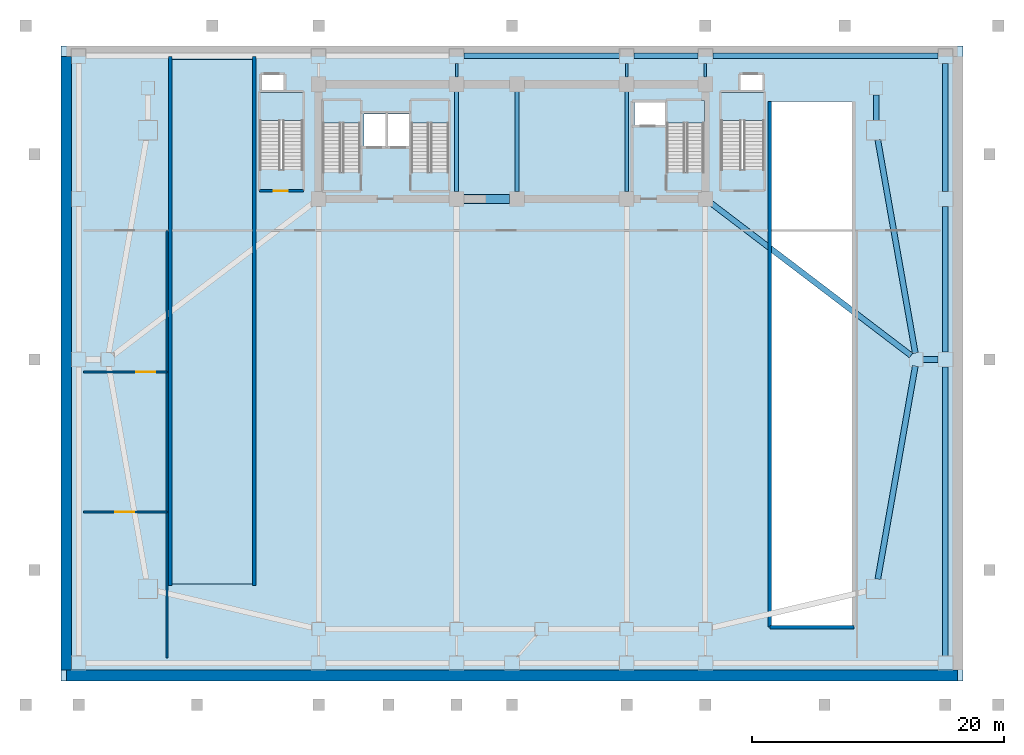
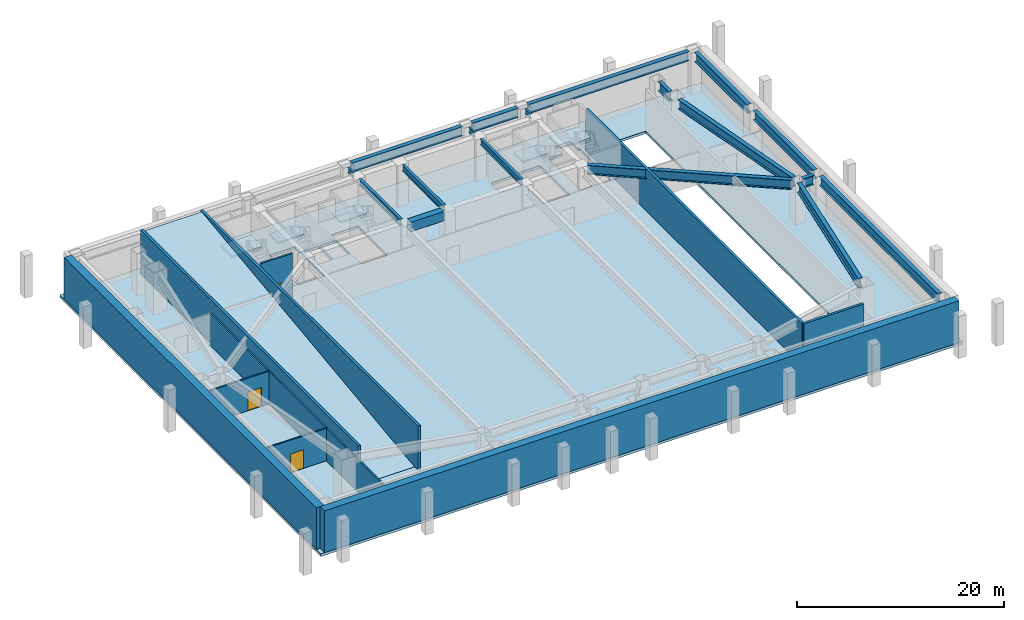
# One storey, part 2 of 6: 18 beams, 10 walls, 7 slabs, 3 doors, 3 openings, 5 elements without a shape of their own.
"""IFC4 building model written with IfcOpenShell, lengths in metres."""

from ifc_helpers import new_model, si_unit, direction, frame, frame_2d, origin, origin_2d, place, context, subcontext, project, spatial, polyline, rectangle, i_section, outline, extrude, source, transform, mapped, material, layer, layer_set, material_profile, profile_set, type_object, element, fill, aggregate, save


model = new_model("IFC4")

# Units and contexts
model_context = context("Model", 3, precision=1e-05, world=origin(), true_north=direction((0.0, 1.0)))
body_context = subcontext(model_context, "Body", "Model", "MODEL_VIEW")
ifc_project = project(units=[si_unit("LENGTHUNIT", "METRE"), si_unit("AREAUNIT", "SQUARE_METRE"), si_unit("VOLUMEUNIT", "CUBIC_METRE"), si_unit("PLANEANGLEUNIT", "RADIAN"), si_unit("MASSUNIT", "GRAM", prefix="KILO")], contexts=[model_context])

# Site, building, storey
site_placement = place(None, origin())
site = spatial("IfcSite", under=ifc_project, at=site_placement, CompositionType="ELEMENT")
building_placement = place(site_placement, origin())
building = spatial("IfcBuilding", under=site, at=building_placement, Name="Giltprow Tower", CompositionType="ELEMENT")
storey_placement = place(building_placement, frame((0.0, 0.0, -5.199951171875)))
storey = spatial("IfcBuildingStorey", under=building, at=storey_placement, Name="B01", CompositionType="ELEMENT", Elevation=-5.199951171875)

# Beams
ifc_material_1 = material(Name="Concrete C60", Category="concrete")
ifc_material_profile_1 = material_profile(ifc_material_1, rectangle(XDim=0.699951171875, YDim=1.10009765625, at=origin_2d()), Name="RC 1100x700")
ifc_profile_set_1 = profile_set([ifc_material_profile_1], Name="Concrete C60")
beam_type_1 = type_object("IfcBeamType", Name="BM-CPL-RC1100", PredefinedType="LINTEL", material=ifc_profile_set_1)
shared_shape_1 = source(origin(), body_context, "Body", "SweptSolid", [
    extrude(rectangle(XDim=0.699951171875, YDim=1.10009765625, at=origin_2d()), origin(), (0.0, 0.0, 1.0), 3.6298828125),
])
beam_1_placement = place(storey_placement, frame((31.385009765625, 37.449951171875, 4.389892578125), z_axis=(1.0, 0.0, 0.0), x_axis=(0.0, 1.0, 0.0)))
element("IfcBeam", 1, at=beam_1_placement, inside=storey, type_object=beam_type_1, Name="B01 Core Coupling Beam CB-1", PredefinedType="LINTEL", context=body_context, shape_type="MappedRepresentation", body=[
    mapped(shared_shape_1, transform((0.0, 0.0, 0.0), x_axis=(1.0, 0.0, 0.0), y_axis=(0.0, 1.0, 0.0), z_axis=(0.0, 0.0, 1.0), scale=1.0)),
])
ifc_material_2 = material(Name="Structural steel Q355B", Category="steel")
ifc_material_profile_2 = material_profile(ifc_material_2, i_section(OverallWidth=0.300048828125, OverallDepth=0.699951171875, WebThickness=0.012939453125, FlangeThickness=0.02392578125, at=origin_2d()), Name="HN 700x300x13x24")
ifc_profile_set_2 = profile_set([ifc_material_profile_2], Name="Structural steel Q355B")
beam_type_2 = type_object("IfcBeamType", Name="BM-GIRD-HN700", PredefinedType="BEAM", material=ifc_profile_set_2)
shared_shape_2 = source(origin(), body_context, "Body", "SweptSolid", [
    extrude(i_section(OverallWidth=0.300048828125, OverallDepth=0.699951171875, WebThickness=0.012939453125, FlangeThickness=0.02392578125, at=origin_2d()), origin(), (0.0, 0.0, 1.0), 7.93017578125),
])
for number, where, z_axis, x_axis, name in (
    (2, (30.800048828125, 38.034912109375, 4.58984375), (0.0, 1.0, 0.0), (-1.0, 0.0, 0.0), "B01 Core Tie Girder M1"),
    (3, (35.60009765625, 38.034912109375, 4.58984375), (0.0, 1.0, 0.0), (-1.0, 0.0, 0.0), "B01 Core Tie Girder M2"),
    (4, (44.300048828125, 38.034912109375, 4.58984375), (0.0, 1.0, 0.0), (-1.0, 0.0, 0.0), "B01 Core Tie Girder M3"),
):
    element("IfcBeam", number, at=place(storey_placement, frame(where, z_axis=z_axis, x_axis=x_axis)), inside=storey, type_object=beam_type_2, Name=name, PredefinedType="BEAM", context=body_context, shape_type="MappedRepresentation", body=[
        mapped(shared_shape_2, transform((0.0, 0.0, 0.0), x_axis=(1.0, 0.0, 0.0), y_axis=(0.0, 1.0, 0.0), z_axis=(0.0, 0.0, 1.0), scale=1.0)),
    ])
ifc_material_3 = material(Name="Structural steel Q420GJC", Category="steel")
ifc_material_profile_3 = material_profile(ifc_material_3, i_section(OverallWidth=0.449951171875, OverallDepth=1.10009765625, WebThickness=0.02587890625, FlangeThickness=0.0419921875, at=origin_2d()), Name="WH 1100x450x26x42")
ifc_profile_set_3 = profile_set([ifc_material_profile_3], Name="Structural steel Q420GJC")
beam_type_3 = type_object("IfcBeamType", Name="BM-GIRD-WH1100", PredefinedType="BEAM", material=ifc_profile_set_3)
shared_shape_3 = source(origin(), body_context, "Body", "SweptSolid", [
    extrude(i_section(OverallWidth=0.449951171875, OverallDepth=1.10009765625, WebThickness=0.02587890625, FlangeThickness=0.0419921875, at=origin_2d()), origin(), (0.0, 0.0, 1.0), 17.8798828125),
])
beam_2_placement = place(storey_placement, frame((51.135009765625, 48.800048828125, 4.389892578125), z_axis=(1.0, 0.0, 0.0), x_axis=(0.0, 1.0, 0.0)))
element("IfcBeam", 5, at=beam_2_placement, inside=storey, type_object=beam_type_3, Name="B01 Podium North Edge Girder", PredefinedType="BEAM", context=body_context, shape_type="MappedRepresentation", body=[
    mapped(shared_shape_3, transform((0.0, 0.0, 0.0), x_axis=(1.0, 0.0, 0.0), y_axis=(0.0, 1.0, 0.0), z_axis=(0.0, 0.0, 1.0), scale=1.0)),
])
shared_shape_4 = source(origin(), body_context, "Body", "SweptSolid", [
    extrude(i_section(OverallWidth=0.449951171875, OverallDepth=1.10009765625, WebThickness=0.02587890625, FlangeThickness=0.0419921875, at=origin_2d()), origin(), (0.0, 0.0, 1.0), 5.080078125),
])
beam_3_placement = place(storey_placement, frame((44.885009765625, 48.800048828125, 4.389892578125), z_axis=(1.0, 0.0, 0.0), x_axis=(0.0, 1.0, 0.0)))
element("IfcBeam", 6, at=beam_3_placement, inside=storey, type_object=beam_type_3, Name="B01 Podium North Edge Girder", PredefinedType="BEAM", context=body_context, shape_type="MappedRepresentation", body=[
    mapped(shared_shape_4, transform((0.0, 0.0, 0.0), x_axis=(1.0, 0.0, 0.0), y_axis=(0.0, 1.0, 0.0), z_axis=(0.0, 0.0, 1.0), scale=1.0)),
])
shared_shape_5 = source(origin(), body_context, "Body", "SweptSolid", [
    extrude(i_section(OverallWidth=0.449951171875, OverallDepth=1.10009765625, WebThickness=0.02587890625, FlangeThickness=0.0419921875, at=origin_2d()), origin(), (0.0, 0.0, 1.0), 12.330078125),
])
beam_4_placement = place(storey_placement, frame((31.385009765625, 48.800048828125, 4.389892578125), z_axis=(1.0, 0.0, 0.0), x_axis=(0.0, 1.0, 0.0)))
element("IfcBeam", 7, at=beam_4_placement, inside=storey, type_object=beam_type_3, Name="B01 Podium North Edge Girder", PredefinedType="BEAM", context=body_context, shape_type="MappedRepresentation", body=[
    mapped(shared_shape_5, transform((0.0, 0.0, 0.0), x_axis=(1.0, 0.0, 0.0), y_axis=(0.0, 1.0, 0.0), z_axis=(0.0, 0.0, 1.0), scale=1.0)),
])
shared_shape_6 = source(origin(), body_context, "Body", "SweptSolid", [
    extrude(i_section(OverallWidth=0.449951171875, OverallDepth=1.10009765625, WebThickness=0.02587890625, FlangeThickness=0.0419921875, at=origin_2d()), origin(), (0.0, 0.0, 1.0), 22.929931640625),
])
beam_5_placement = place(storey_placement, frame((69.60009765625, 1.18505859375, 4.389892578125), z_axis=(0.0, 1.0, 0.0), x_axis=(-1.0, 0.0, 0.0)))
element("IfcBeam", 8, at=beam_5_placement, inside=storey, type_object=beam_type_3, Name="B01 Podium Side Girder", PredefinedType="BEAM", context=body_context, shape_type="MappedRepresentation", body=[
    mapped(shared_shape_6, transform((0.0, 0.0, 0.0), x_axis=(1.0, 0.0, 0.0), y_axis=(0.0, 1.0, 0.0), z_axis=(0.0, 0.0, 1.0), scale=1.0)),
])
shared_shape_7 = source(origin(), body_context, "Body", "SweptSolid", [
    extrude(i_section(OverallWidth=0.449951171875, OverallDepth=1.10009765625, WebThickness=0.02587890625, FlangeThickness=0.0419921875, at=origin_2d()), origin(), (0.0, 0.0, 1.0), 11.580078125),
])
beam_6_placement = place(storey_placement, frame((69.60009765625, 25.284912109375, 4.389892578125), z_axis=(0.0, 1.0, 0.0), x_axis=(-1.0, 0.0, 0.0)))
element("IfcBeam", 9, at=beam_6_placement, inside=storey, type_object=beam_type_3, Name="B01 Podium Side Girder", PredefinedType="BEAM", context=body_context, shape_type="MappedRepresentation", body=[
    mapped(shared_shape_7, transform((0.0, 0.0, 0.0), x_axis=(1.0, 0.0, 0.0), y_axis=(0.0, 1.0, 0.0), z_axis=(0.0, 0.0, 1.0), scale=1.0)),
])
shared_shape_8 = source(origin(), body_context, "Body", "SweptSolid", [
    extrude(i_section(OverallWidth=0.449951171875, OverallDepth=1.10009765625, WebThickness=0.02587890625, FlangeThickness=0.0419921875, at=origin_2d()), origin(), (0.0, 0.0, 1.0), 10.18017578125),
])
beam_7_placement = place(storey_placement, frame((69.60009765625, 38.034912109375, 4.389892578125), z_axis=(0.0, 1.0, 0.0), x_axis=(-1.0, 0.0, 0.0)))
element("IfcBeam", 10, at=beam_7_placement, inside=storey, type_object=beam_type_3, Name="B01 Podium Side Girder", PredefinedType="BEAM", context=body_context, shape_type="MappedRepresentation", body=[
    mapped(shared_shape_8, transform((0.0, 0.0, 0.0), x_axis=(1.0, 0.0, 0.0), y_axis=(0.0, 1.0, 0.0), z_axis=(0.0, 0.0, 1.0), scale=1.0)),
])
shared_shape_9 = source(origin(), body_context, "Body", "SweptSolid", [
    extrude(i_section(OverallWidth=0.449951171875, OverallDepth=1.10009765625, WebThickness=0.02587890625, FlangeThickness=0.0419921875, at=origin_2d()), origin(), (0.0, 0.0, 1.0), 17.1591796875),
])
beam_8_placement = place(storey_placement, frame((64.236083984375, 7.27294921875, 4.389892578125), z_axis=(0.173139216532, 0.984897360997, 0.0), x_axis=(-0.984897360997, 0.173139216532, 0.0)))
element("IfcBeam", 11, at=beam_8_placement, inside=storey, type_object=beam_type_3, Name="B01 Tower Base Ring Girder 7", PredefinedType="BEAM", context=body_context, shape_type="MappedRepresentation", body=[
    mapped(shared_shape_9, transform((0.0, 0.0, 0.0), x_axis=(1.0, 0.0, 0.0), y_axis=(0.0, 1.0, 0.0), z_axis=(0.0, 0.0, 1.0), scale=1.0)),
])
shared_shape_10 = source(origin(), body_context, "Body", "SweptSolid", [
    extrude(i_section(OverallWidth=0.449951171875, OverallDepth=1.10009765625, WebThickness=0.02587890625, FlangeThickness=0.0419921875, at=origin_2d()), origin(), (0.0, 0.0, 1.0), 17.158935546875),
])
beam_9_placement = place(storey_placement, frame((67.20703125, 25.22705078125, 4.389892578125), z_axis=(-0.173141642767, 0.984896934476, 0.0), x_axis=(-0.984896934476, -0.173141642767, 0.0)))
element("IfcBeam", 12, at=beam_9_placement, inside=storey, type_object=beam_type_3, Name="B01 Tower Base Ring Girder 8", PredefinedType="BEAM", context=body_context, shape_type="MappedRepresentation", body=[
    mapped(shared_shape_10, transform((0.0, 0.0, 0.0), x_axis=(1.0, 0.0, 0.0), y_axis=(0.0, 1.0, 0.0), z_axis=(0.0, 0.0, 1.0), scale=1.0)),
])
shared_shape_11 = source(origin(), body_context, "Body", "SweptSolid", [
    extrude(i_section(OverallWidth=0.449951171875, OverallDepth=1.10009765625, WebThickness=0.02587890625, FlangeThickness=0.0419921875, at=origin_2d()), origin(), (0.0, 0.0, 1.0), 2.030029296875),
])
beam_10_placement = place(storey_placement, frame((64.10009765625, 43.68505859375, 4.389892578125), z_axis=(0.0, 1.0, 0.0), x_axis=(-1.0, 0.0, 0.0)))
element("IfcBeam", 13, at=beam_10_placement, inside=storey, type_object=beam_type_3, Name="B01 Tower Base Ring Girder 9", PredefinedType="BEAM", context=body_context, shape_type="MappedRepresentation", body=[
    mapped(shared_shape_11, transform((0.0, 0.0, 0.0), x_axis=(1.0, 0.0, 0.0), y_axis=(0.0, 1.0, 0.0), z_axis=(0.0, 0.0, 1.0), scale=1.0)),
])
ifc_material_profile_4 = material_profile(ifc_material_2, i_section(OverallWidth=0.199951171875, OverallDepth=0.60009765625, WebThickness=0.010986328125, FlangeThickness=0.01708984375, at=origin_2d()), Name="HN 600x200x11x17")
ifc_profile_set_4 = profile_set([ifc_material_profile_4], Name="Structural steel Q355B")
beam_type_4 = type_object("IfcBeamType", Name="BM-GIRD-HN600", PredefinedType="BEAM", material=ifc_profile_set_4)
shared_shape_12 = source(origin(), body_context, "Body", "SweptSolid", [
    extrude(i_section(OverallWidth=0.199951171875, OverallDepth=0.60009765625, WebThickness=0.010986328125, FlangeThickness=0.01708984375, at=origin_2d()), origin(), (0.0, 0.0, 1.0), 1.080078125),
])
for number, where, z_axis, x_axis, name in (
    (14, (30.800048828125, 47.135009765625, 4.639892578125), (0.0, 1.0, 0.0), (-1.0, 0.0, 0.0), "B01 North Perimeter Tie S2"),
    (15, (44.300048828125, 47.135009765625, 4.639892578125), (0.0, 1.0, 0.0), (-1.0, 0.0, 0.0), "B01 North Perimeter Tie S3"),
    (16, (50.550048828125, 47.135009765625, 4.639892578125), (0.0, 1.0, 0.0), (-1.0, 0.0, 0.0), "B01 North Perimeter Tie S4"),
):
    element("IfcBeam", number, at=place(storey_placement, frame(where, z_axis=z_axis, x_axis=x_axis)), inside=storey, type_object=beam_type_4, Name=name, PredefinedType="BEAM", context=body_context, shape_type="MappedRepresentation", body=[
        mapped(shared_shape_12, transform((0.0, 0.0, 0.0), x_axis=(1.0, 0.0, 0.0), y_axis=(0.0, 1.0, 0.0), z_axis=(0.0, 0.0, 1.0), scale=1.0)),
    ])
shared_shape_13 = source(origin(), body_context, "Body", "SweptSolid", [
    extrude(i_section(OverallWidth=0.449951171875, OverallDepth=1.10009765625, WebThickness=0.02587890625, FlangeThickness=0.0419921875, at=origin_2d()), origin(), (0.0, 0.0, 1.0), 1.179931640625),
])
beam_11_placement = place(storey_placement, frame((67.8349609375, 24.699951171875, 4.389892578125), z_axis=(1.0, 0.0, 0.0), x_axis=(0.0, 1.0, 0.0)))
element("IfcBeam", 17, at=beam_11_placement, inside=storey, type_object=beam_type_3, Name="B01 East Tie 1", PredefinedType="BEAM", context=body_context, shape_type="MappedRepresentation", body=[
    mapped(shared_shape_13, transform((0.0, 0.0, 0.0), x_axis=(1.0, 0.0, 0.0), y_axis=(0.0, 1.0, 0.0), z_axis=(0.0, 0.0, 1.0), scale=1.0)),
])
shared_shape_14 = source(origin(), body_context, "Body", "SweptSolid", [
    extrude(i_section(OverallWidth=0.449951171875, OverallDepth=1.10009765625, WebThickness=0.02587890625, FlangeThickness=0.0419921875, at=origin_2d()), origin(), (0.0, 0.0, 1.0), 19.930908203125),
])
beam_12_placement = place(storey_placement, frame((51.014892578125, 37.095947265625, 4.389892578125), z_axis=(0.795700739064, -0.605689965124, 0.0), x_axis=(0.605689965124, 0.795700739064, 0.0)))
element("IfcBeam", 18, at=beam_12_placement, inside=storey, type_object=beam_type_3, Name="B01 East Tie 2", PredefinedType="BEAM", context=body_context, shape_type="MappedRepresentation", body=[
    mapped(shared_shape_14, transform((0.0, 0.0, 0.0), x_axis=(1.0, 0.0, 0.0), y_axis=(0.0, 1.0, 0.0), z_axis=(0.0, 0.0, 1.0), scale=1.0)),
])

# Slabs
ifc_material_4 = material(Name="Concrete C40", Category="concrete")
ifc_layer_1 = layer(ifc_material_4, 0.300048828125, Name="Concrete C40")
ifc_layer_set_1 = layer_set([ifc_layer_1], Name="Concrete C40")
slab_type_1 = type_object("IfcSlabType", Name="SLB-B01-300", PredefinedType="FLOOR", material=ifc_layer_set_1)
slab_1_placement = place(storey_placement, frame((0.0, 0.0, -0.300048828125)))
element("IfcSlab", 19, at=slab_1_placement, inside=storey, type_object=slab_type_1, Name="B01 Structural Composite Floor Slab", PredefinedType="FLOOR", context=body_context, shape_type="SweptSolid", body=[
    extrude(outline(polyline([(-0.60009765625, 49.60009765625), (71.0, 49.60009765625), (71.0, -0.800048828125), (-0.60009765625, -0.800048828125), (-0.60009765625, 49.60009765625)]), holes=[polyline([(23.159912109375, 45.25), (20.199951171875, 45.25), (20.199951171875, 39.570068359375), (23.159912109375, 39.570068359375), (23.159912109375, 45.25)]), polyline([(30.159912109375, 45.25), (27.199951171875, 45.25), (27.199951171875, 39.570068359375), (30.159912109375, 39.570068359375), (30.159912109375, 45.25)]), polyline([(18.60009765625, 45.89990234375), (17.070068359375, 45.89990234375), (17.070068359375, 47.300048828125), (15.35009765625, 47.300048828125), (15.35009765625, 45.89990234375), (15.199951171875, 45.89990234375), (15.199951171875, 39.77001953125), (18.60009765625, 39.77001953125), (18.60009765625, 45.89990234375)]), polyline([(25.169921875, 41.60009765625), (25.169921875, 44.199951171875), (23.449951171875, 44.199951171875), (23.449951171875, 41.60009765625), (25.169921875, 41.60009765625)]), polyline([(27.10009765625, 41.60009765625), (27.10009765625, 44.199951171875), (25.35009765625, 44.199951171875), (25.35009765625, 41.60009765625), (27.10009765625, 41.60009765625)]), polyline([(62.199951171875, 3.60009765625), (62.199951171875, 45.169921875), (55.800048828125, 45.169921875), (55.800048828125, 3.60009765625), (62.199951171875, 3.60009765625)]), polyline([(50.4599609375, 39.570068359375), (50.4599609375, 45.25), (47.5, 45.25), (47.5, 39.570068359375), (50.4599609375, 39.570068359375)]), polyline([(55.199951171875, 39.77001953125), (55.199951171875, 45.89990234375), (55.070068359375, 45.89990234375), (55.070068359375, 47.300048828125), (53.35009765625, 47.300048828125), (53.35009765625, 45.89990234375), (51.800048828125, 45.89990234375), (51.800048828125, 39.77001953125), (55.199951171875, 39.77001953125)]), polyline([(47.3798828125, 43.300048828125), (47.3798828125, 45.10009765625), (44.919921875, 45.10009765625), (44.919921875, 43.300048828125), (47.3798828125, 43.300048828125)])]), origin(), (0.0, 0.0, 1.0), 0.300048828125),
])
ifc_material_5 = material(Name="Concrete C45", Category="concrete")
ifc_layer_2 = layer(ifc_material_5, 0.239990234375, Name="Concrete C45")
ifc_layer_set_2 = layer_set([ifc_layer_2], Name="Concrete C45")
slab_type_2 = type_object("IfcSlabType", Name="SLB-VRMP-240-C45", PredefinedType="FLOOR", material=ifc_layer_set_2)
slab_2_placement = place(storey_placement, frame((8.199951171875, 6.89990234375, -0.06005859375), z_axis=(0.0, -0.124033301129, 0.992278055895), x_axis=(1.0, 0.0, 0.0)))
element("IfcSlab", 20, at=slab_2_placement, inside=storey, type_object=slab_type_2, Name="Car Park Structural Vehicle Exit Ramp Slab B01-L01", PredefinedType="FLOOR", context=body_context, shape_type="SweptSolid", body=[
    extrude(outline(polyline([(0.0, 0.0), (6.400146484375, 0.0), (6.400146484375, 41.923831136949076), (0.0, 41.923831136949076), (0.0, 0.0)])), origin(), (0.0, 0.0, -1.0), 0.239990234375),
])

# Stair, slab
stair_type_1 = type_object("IfcStairType", Name="STR-ST-1", PredefinedType="HALF_TURN_STAIR", material=ifc_material_4)
stair_1_placement = place(storey_placement, origin())
stair_1 = element("IfcStair", 21, at=stair_1_placement, inside=storey, type_object=stair_type_1, Name="B01 Core Exit Stair ST-1", PredefinedType="HALF_TURN_STAIR")
ifc_layer_3 = layer(ifc_material_4, 0.179931640625, Name="Concrete C40")
ifc_layer_set_3 = layer_set([ifc_layer_3], Name="Concrete C40")
slab_type_3 = type_object("IfcSlabType", Name="SLD-ST-1", PredefinedType="LANDING", material=ifc_layer_set_3)
slab_3_placement = place(storey_placement, frame((0.0, 0.0, 2.419921875)))
slab_3 = element("IfcSlab", 22, at=slab_3_placement, type_object=slab_type_3, Name="ST-1 landing 1", PredefinedType="LANDING", context=body_context, shape_type="SweptSolid", body=[
    extrude(outline(polyline([(23.159912109375, 43.469970703125), (23.159912109375, 45.25), (20.199951171875, 45.25), (20.199951171875, 43.469970703125), (23.159912109375, 43.469970703125)])), origin(), (0.0, 0.0, 1.0), 0.179931640625),
])
aggregate(stair_1, [slab_3])

stair_type_2 = type_object("IfcStairType", Name="STR-ST-2", PredefinedType="HALF_TURN_STAIR", material=ifc_material_4)
stair_2_placement = place(storey_placement, origin())
stair_2 = element("IfcStair", 23, at=stair_2_placement, inside=storey, type_object=stair_type_2, Name="B01 Core Exit Stair ST-2", PredefinedType="HALF_TURN_STAIR")
ifc_layer_4 = layer(ifc_material_4, 0.18798828125, Name="Concrete C40")
ifc_layer_set_4 = layer_set([ifc_layer_4], Name="Concrete C40")
slab_type_4 = type_object("IfcSlabType", Name="SLD-ST-2", PredefinedType="LANDING", material=ifc_layer_set_4)
slab_4_placement = place(storey_placement, frame((0.0, 0.0, 2.411865234375)))
slab_4 = element("IfcSlab", 24, at=slab_4_placement, type_object=slab_type_4, Name="ST-2 landing 1", PredefinedType="LANDING", context=body_context, shape_type="SweptSolid", body=[
    extrude(outline(polyline([(30.159912109375, 43.469970703125), (30.159912109375, 45.25), (27.199951171875, 45.25), (27.199951171875, 43.469970703125), (30.159912109375, 43.469970703125)])), origin(), (0.0, 0.0, 1.0), 0.18798828125),
])
aggregate(stair_2, [slab_4])

stair_type_3 = type_object("IfcStairType", Name="STR-ST-3", PredefinedType="HALF_TURN_STAIR", material=ifc_material_4)
stair_3_placement = place(storey_placement, origin())
stair_3 = element("IfcStair", 25, at=stair_3_placement, inside=storey, type_object=stair_type_3, Name="B01 Core Exit Stair ST-3", PredefinedType="HALF_TURN_STAIR")
ifc_layer_5 = layer(ifc_material_4, 0.196044921875, Name="Concrete C40")
ifc_layer_set_5 = layer_set([ifc_layer_5], Name="Concrete C40")
slab_type_5 = type_object("IfcSlabType", Name="SLD-ST-3", PredefinedType="LANDING", material=ifc_layer_set_5)
slab_5_placement = place(storey_placement, frame((0.0, 0.0, 2.404052734375)))
slab_5 = element("IfcSlab", 26, at=slab_5_placement, type_object=slab_type_5, Name="ST-3 landing 1", PredefinedType="LANDING", context=body_context, shape_type="SweptSolid", body=[
    extrude(outline(polyline([(50.4599609375, 43.469970703125), (50.4599609375, 45.25), (47.5, 45.25), (47.5, 43.469970703125), (50.4599609375, 43.469970703125)])), origin(), (0.0, 0.0, 1.0), 0.19580078125),
])
aggregate(stair_3, [slab_5])

stair_type_4 = type_object("IfcStairType", Name="STR-ST-P1", PredefinedType="HALF_TURN_STAIR", material=ifc_material_4)
stair_4_placement = place(storey_placement, origin())
stair_4 = element("IfcStair", 27, at=stair_4_placement, inside=storey, type_object=stair_type_4, Name="B01 Podium Exit Stair ST-P1", PredefinedType="HALF_TURN_STAIR")
ifc_layer_6 = layer(ifc_material_4, 0.2041015625, Name="Concrete C40")
ifc_layer_set_6 = layer_set([ifc_layer_6], Name="Concrete C40")
slab_type_6 = type_object("IfcSlabType", Name="SLD-ST-P1", PredefinedType="LANDING", material=ifc_layer_set_6)
slab_6_placement = place(storey_placement, frame((0.0, 0.0, 2.39599609375)))
slab_6 = element("IfcSlab", 28, at=slab_6_placement, type_object=slab_type_6, Name="ST-P1 landing 1", PredefinedType="LANDING", context=body_context, shape_type="SweptSolid", body=[
    extrude(outline(polyline([(18.60009765625, 43.669921875), (18.60009765625, 45.89990234375), (15.199951171875, 45.89990234375), (15.199951171875, 43.669921875), (18.60009765625, 43.669921875)])), origin(), (0.0, 0.0, 1.0), 0.203857421875),
])
aggregate(stair_4, [slab_6])

stair_type_5 = type_object("IfcStairType", Name="STR-ST-P2", PredefinedType="HALF_TURN_STAIR", material=ifc_material_4)
stair_5_placement = place(storey_placement, origin())
stair_5 = element("IfcStair", 29, at=stair_5_placement, inside=storey, type_object=stair_type_5, Name="B01 Podium Exit Stair ST-P2", PredefinedType="HALF_TURN_STAIR")
ifc_layer_7 = layer(ifc_material_4, 0.2119140625, Name="Concrete C40")
ifc_layer_set_7 = layer_set([ifc_layer_7], Name="Concrete C40")
slab_type_7 = type_object("IfcSlabType", Name="SLD-ST-P2", PredefinedType="LANDING", material=ifc_layer_set_7)
slab_7_placement = place(storey_placement, frame((0.0, 0.0, 2.387939453125)))
slab_7 = element("IfcSlab", 30, at=slab_7_placement, type_object=slab_type_7, Name="ST-P2 landing 1", PredefinedType="LANDING", context=body_context, shape_type="SweptSolid", body=[
    extrude(outline(polyline([(55.199951171875, 43.669921875), (55.199951171875, 45.89990234375), (51.800048828125, 45.89990234375), (51.800048828125, 43.669921875), (55.199951171875, 43.669921875)])), origin(), (0.0, 0.0, 1.0), 0.2119140625),
])
aggregate(stair_5, [slab_7])

# Wall
ifc_material_6 = material(Name="Gypsum stud partition", Category="gypsum")
ifc_layer_8 = layer(ifc_material_6, 0.159912109375, Name="Gypsum stud partition")
ifc_layer_set_8 = layer_set([ifc_layer_8], Name="Gypsum stud partition")
wall_type_1 = type_object("IfcWallType", Name="IW-DEMISE-160", PredefinedType="PARTITIONING", material=ifc_layer_set_8)
wall_1_placement = place(storey_placement, frame((7.800048828125, 1.0, 0.0), z_axis=(0.0, 0.0, 1.0), x_axis=(0.0, 1.0, 0.0)))
element("IfcWall", 31, at=wall_1_placement, inside=storey, type_object=wall_type_1, Name="B01 West MEP Plant Wall", PredefinedType="PARTITIONING", context=body_context, shape_type="SweptSolid", body=[
    extrude(rectangle(XDim=33.949951171875, YDim=0.159912109375, at=frame_2d((16.97509765625, 0.0))), origin(), (0.0, 0.0, 1.0), 3.824951171875),
])

# Wall, opening, door
wall_2_placement = place(storey_placement, frame((1.199951171875, 12.60009765625, 0.0), z_axis=(0.0, 0.0, 1.0), x_axis=(1.0, 0.0, 0.0)))
wall_2 = element("IfcWall", 32, at=wall_2_placement, inside=storey, type_object=wall_type_1, Name="B01 Plant Divider 1", PredefinedType="PARTITIONING", context=body_context, shape_type="SweptSolid", body=[
    extrude(rectangle(XDim=6.60009765625, YDim=0.159912109375, at=frame_2d((3.300048828125, 0.0))), origin(), (0.0, 0.0, 1.0), 3.824951171875),
])
opening_1_placement = place(wall_2_placement, frame((2.5, 0.0, 0.0)))
opening_1 = element("IfcOpeningElement", 33, at=opening_1_placement, cuts=wall_2, Name="Opening ID25", PredefinedType="OPENING", context=body_context, shape_type="SweptSolid", body=[
    extrude(rectangle(XDim=1.5, YDim=2.199951171875, at=frame_2d((0.75, 1.10009765625))), frame((0.0, 0.08984375, 0.0), z_axis=(0.0, -1.0, 0.0), x_axis=(1.0, 0.0, 0.0)), (0.0, 0.0, 1.0), 0.179931640625),
])
ifc_material_7 = material(Name="Steel fire leaf", Category="steel")
door_type_1 = type_object("IfcDoorType", Name="DR-PLANT-1500", OperationType="DOUBLE_SWING_LEFT", PredefinedType="DOOR", material=ifc_material_7)
shared_shape_15 = source(origin(), body_context, "Body", "SweptSolid", [
    extrude(rectangle(XDim=1.5, YDim=2.199951171875, at=frame_2d((0.75, 1.10009765625))), frame((0.0, 0.02490234375, 0.0), z_axis=(0.0, -1.0, 0.0), x_axis=(1.0, 0.0, 0.0)), (0.0, 0.0, 1.0), 0.050048828125),
])
door_1_placement = place(opening_1_placement, origin())
door_1 = element("IfcDoor", 34, at=door_1_placement, inside=storey, type_object=door_type_1, Name="B01 Emergency Diesel Generator Hall Connecting Door", OperationType="DOUBLE_SWING_LEFT", OverallHeight=2.199951171875, OverallWidth=1.5, PredefinedType="DOOR", context=body_context, shape_type="MappedRepresentation", body=[
    mapped(shared_shape_15, transform((0.0, 0.0, 0.0), x_axis=(1.0, 0.0, 0.0), y_axis=(0.0, 1.0, 0.0), z_axis=(0.0, 0.0, 1.0), scale=1.0)),
])
fill(opening_1, door_1)

wall_3_placement = place(storey_placement, frame((1.199951171875, 23.699951171875, 0.0), z_axis=(0.0, 0.0, 1.0), x_axis=(1.0, 0.0, 0.0)))
wall_3 = element("IfcWall", 35, at=wall_3_placement, inside=storey, type_object=wall_type_1, Name="B01 Plant Divider 2", PredefinedType="PARTITIONING", context=body_context, shape_type="SweptSolid", body=[
    extrude(rectangle(XDim=6.60009765625, YDim=0.159912109375, at=frame_2d((3.300048828125, 0.0))), origin(), (0.0, 0.0, 1.0), 3.824951171875),
])
opening_2_placement = place(wall_3_placement, frame((4.179931640625, 0.0, 0.0)))
opening_2 = element("IfcOpeningElement", 36, at=opening_2_placement, cuts=wall_3, Name="Opening ID25", PredefinedType="OPENING", context=body_context, shape_type="SweptSolid", body=[
    extrude(rectangle(XDim=1.5, YDim=2.199951171875, at=frame_2d((0.75, 1.10009765625))), frame((0.0, 0.08984375, 0.0), z_axis=(0.0, -1.0, 0.0), x_axis=(1.0, 0.0, 0.0)), (0.0, 0.0, 1.0), 0.179931640625),
])
door_2_placement = place(opening_2_placement, origin())
door_2 = element("IfcDoor", 37, at=door_2_placement, inside=storey, type_object=door_type_1, Name="B01 Bicycle Storage and Changing Room Connecting Door", OperationType="DOUBLE_SWING_LEFT", OverallHeight=2.199951171875, OverallWidth=1.5, PredefinedType="DOOR", context=body_context, shape_type="MappedRepresentation", body=[
    mapped(shared_shape_15, transform((0.0, 0.0, 0.0), x_axis=(1.0, 0.0, 0.0), y_axis=(0.0, 1.0, 0.0), z_axis=(0.0, 0.0, 1.0), scale=1.0)),
])
fill(opening_2, door_2)

ifc_layer_9 = layer(ifc_material_4, 0.199951171875, Name="Concrete C40")
ifc_layer_set_9 = layer_set([ifc_layer_9], Name="Concrete C40")
wall_type_2 = type_object("IfcWallType", Name="IW-STAIR-200", PredefinedType="SOLIDWALL", material=ifc_layer_set_9)
wall_4_placement = place(storey_placement, frame((15.139892578125, 38.080078125, 0.0), z_axis=(0.0, 0.0, 1.0), x_axis=(1.0, 0.0, 0.0)))
wall_4 = element("IfcWall", 38, at=wall_4_placement, inside=storey, type_object=wall_type_2, Name="B01 Podium Stair ST-P1 South Bearing Wall", PredefinedType="SOLIDWALL", context=body_context, shape_type="SweptSolid", body=[
    extrude(rectangle(XDim=3.52001953125, YDim=0.199951171875, at=frame_2d((1.760009765625, 0.0))), origin(), (0.0, 0.0, 1.0), 5.199951171875),
])
opening_3_placement = place(wall_4_placement, frame((1.14990234375, 0.0, 0.0)))
opening_3 = element("IfcOpeningElement", 39, at=opening_3_placement, cuts=wall_4, Name="Opening ID33", PredefinedType="OPENING", context=body_context, shape_type="SweptSolid", body=[
    extrude(rectangle(XDim=1.10009765625, YDim=2.14990234375, at=frame_2d((0.550048828125, 1.074951171875))), frame((0.0, 0.10986328125, 0.0), z_axis=(0.0, -1.0, 0.0), x_axis=(1.0, 0.0, 0.0)), (0.0, 0.0, 1.0), 0.219970703125),
])
door_type_2 = type_object("IfcDoorType", Name="DR-STAIR-1100", OperationType="SINGLE_SWING_LEFT", PredefinedType="DOOR", material=ifc_material_7)
shared_shape_16 = source(origin(), body_context, "Body", "SweptSolid", [
    extrude(rectangle(XDim=1.10009765625, YDim=2.14990234375, at=frame_2d((0.550048828125, 1.074951171875))), frame((0.0, 0.02490234375, 0.0), z_axis=(0.0, -1.0, 0.0), x_axis=(1.0, 0.0, 0.0)), (0.0, 0.0, 1.0), 0.050048828125),
])
door_3_placement = place(opening_3_placement, origin())
door_3 = element("IfcDoor", 40, at=door_3_placement, inside=storey, type_object=door_type_2, Name="B01 Podium Stair ST-P1 Door", OperationType="SINGLE_SWING_LEFT", OverallHeight=2.14990234375, OverallWidth=1.10009765625, PredefinedType="DOOR", context=body_context, shape_type="MappedRepresentation", body=[
    mapped(shared_shape_16, transform((0.0, 0.0, 0.0), x_axis=(1.0, 0.0, 0.0), y_axis=(0.0, 1.0, 0.0), z_axis=(0.0, 0.0, 1.0), scale=1.0)),
])
fill(opening_3, door_3)

# Walls
ifc_layer_10 = layer(ifc_material_5, 0.85009765625, Name="Concrete C45")
ifc_layer_set_10 = layer_set([ifc_layer_10], Name="Concrete C45")
wall_type_3 = type_object("IfcWallType", Name="RW-DIAPHRAGM-850", PredefinedType="USERDEFINED", material=ifc_layer_set_10)
wall_5_placement = place(storey_placement, frame((-0.175048828125, -0.375, 0.0), z_axis=(0.0, 0.0, 1.0), x_axis=(1.0, 0.0, 0.0)))
element("IfcWall", 41, at=wall_5_placement, inside=storey, type_object=wall_type_3, Name="B01 Diaphragm Retaining Wall S", ObjectType="RETAININGWALL", PredefinedType="USERDEFINED", context=body_context, shape_type="SweptSolid", body=[
    extrude(rectangle(XDim=70.75, YDim=0.85009765625, at=frame_2d((35.375, 0.0))), origin(), (0.0, 0.0, 1.0), 4.93994140625),
])
wall_6_placement = place(storey_placement, frame((-0.175048828125, 0.050048828125, 0.0), z_axis=(0.0, 0.0, 1.0), x_axis=(0.0, 1.0, 0.0)))
element("IfcWall", 42, at=wall_6_placement, inside=storey, type_object=wall_type_3, Name="B01 Diaphragm Retaining Wall W", ObjectType="RETAININGWALL", PredefinedType="USERDEFINED", context=body_context, shape_type="SweptSolid", body=[
    extrude(rectangle(XDim=48.699951171875, YDim=0.85009765625, at=frame_2d((24.35009765625, 0.0))), origin(), (0.0, 0.0, 1.0), 4.93994140625),
])
ifc_layer_11 = layer(ifc_material_4, 0.280029296875, Name="Concrete C40")
ifc_layer_set_11 = layer_set([ifc_layer_11], Name="Concrete C40")
wall_type_4 = type_object("IfcWallType", Name="WL-RAMP-SHAFT-280", PredefinedType="SOLIDWALL", material=ifc_layer_set_11)
wall_7_placement = place(storey_placement, frame((55.659912109375, 3.4599609375, 0.0), z_axis=(0.0, 0.0, 1.0), x_axis=(0.0, 1.0, 0.0)))
element("IfcWall", 43, at=wall_7_placement, inside=storey, type_object=wall_type_4, Name="B01 East Ramp Bearing Wall W", PredefinedType="SOLIDWALL", context=body_context, shape_type="SweptSolid", body=[
    extrude(rectangle(XDim=41.739990234375, YDim=0.280029296875, at=frame_2d((20.8701171875, 0.0))), origin(), (0.0, 0.0, 1.0), 4.93994140625),
])
wall_8_placement = place(storey_placement, frame((55.659912109375, 3.4599609375, 0.0), z_axis=(0.0, 0.0, 1.0), x_axis=(1.0, 0.0, 0.0)))
element("IfcWall", 44, at=wall_8_placement, inside=storey, type_object=wall_type_4, Name="B01 East Ramp Guard Wall S", PredefinedType="SOLIDWALL", context=body_context, shape_type="SweptSolid", body=[
    extrude(rectangle(XDim=6.68017578125, YDim=0.280029296875, at=frame_2d((3.340087890625, 0.0))), origin(), (0.0, 0.0, 1.0), 4.93994140625),
])
for number, where, z_axis, x_axis, name in (
    (45, (8.06005859375, 6.760009765625, 0.0), (0.0, 0.0, 1.0), (0.0, 1.0, 0.0), "B01 West Ramp Bearing Wall W"),
    (46, (14.739990234375, 6.760009765625, 0.0), (0.0, 0.0, 1.0), (0.0, 1.0, 0.0), "B01 West Ramp Bearing Wall E"),
):
    element("IfcWall", number, at=place(storey_placement, frame(where, z_axis=z_axis, x_axis=x_axis)), inside=storey, type_object=wall_type_4, Name=name, PredefinedType="SOLIDWALL", context=body_context, shape_type="SweptSolid", body=[
        extrude(rectangle(XDim=42.0, YDim=0.280029296875, at=frame_2d((21.0, 0.0))), origin(), (0.0, 0.0, 1.0), 5.199951171875),
    ])

save(model, "model.ifc")
